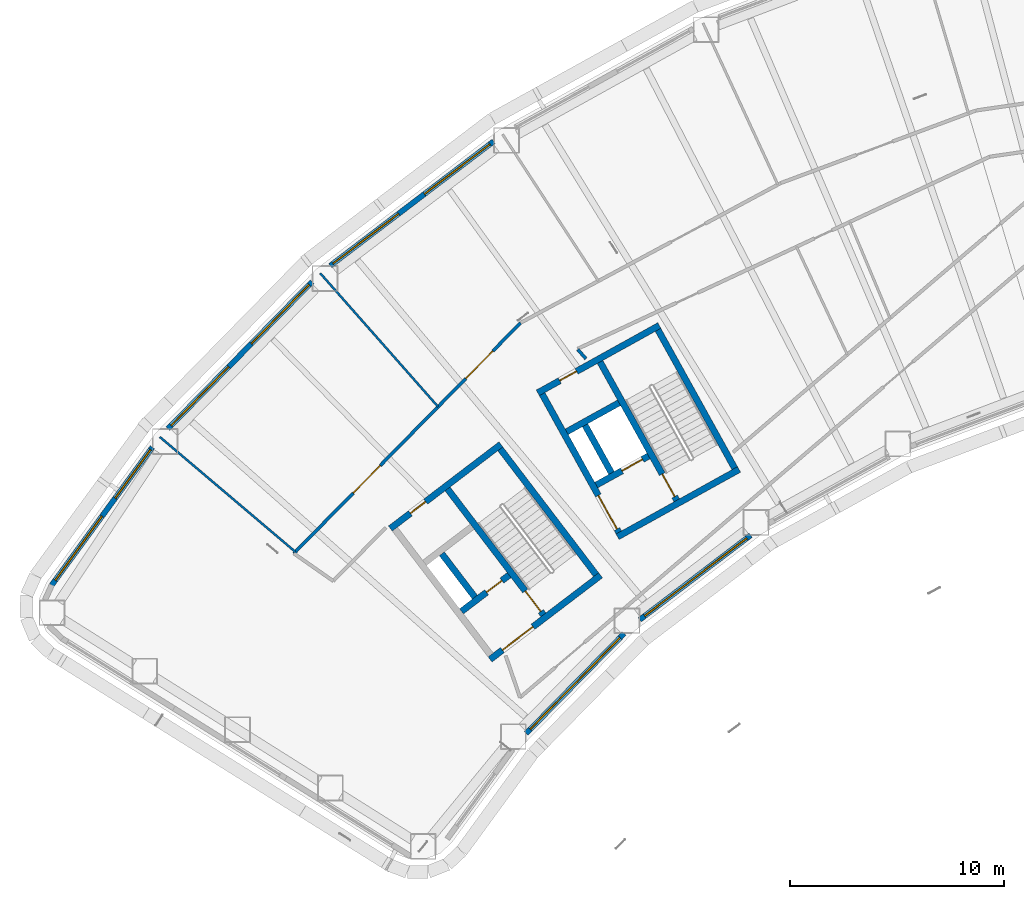
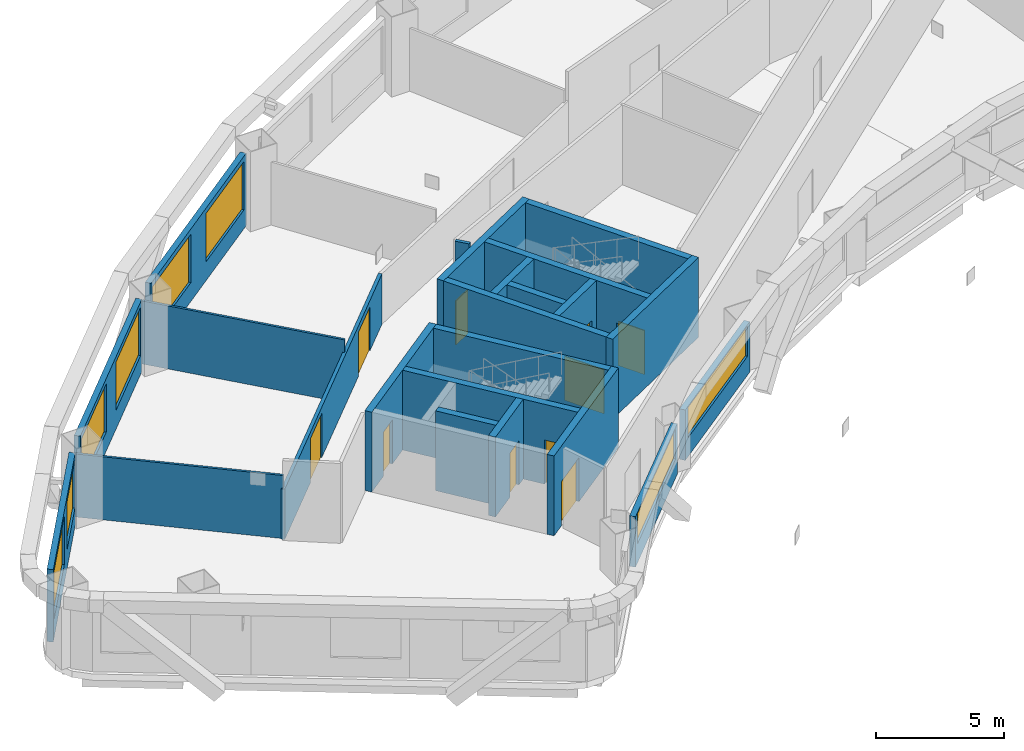
# One storey, part 3 of 19: 23 walls, 10 doors, 8 windows, 18 openings.
"""IFC4 building model written with IfcOpenShell, lengths in metres."""

from ifc_helpers import new_model, si_unit, direction, frame, frame_2d, origin, place, context, subcontext, project, spatial, rectangle, extrude, material, layer, layer_set, type_object, element, fill, save


model = new_model("IFC4")

# Units and contexts
model_context = context("Model", 3, precision=1e-05, world=origin(), true_north=direction((0.0, 1.0)))
body_context = subcontext(model_context, "Body", "Model", "MODEL_VIEW")
ifc_project = project(units=[si_unit("LENGTHUNIT", "METRE"), si_unit("AREAUNIT", "SQUARE_METRE"), si_unit("VOLUMEUNIT", "CUBIC_METRE"), si_unit("PLANEANGLEUNIT", "RADIAN"), si_unit("MASSUNIT", "GRAM", prefix="KILO")], contexts=[model_context])

# Site, building, storey
site_placement = place(None, origin())
site = spatial("IfcSite", under=ifc_project, at=site_placement, CompositionType="ELEMENT")
building_placement = place(site_placement, origin())
building = spatial("IfcBuilding", under=site, at=building_placement, Name="Tuul Gate Civic Tower", CompositionType="ELEMENT")
storey_placement = place(building_placement, frame((0.0, 0.0, 90.60009765625)))
storey = spatial("IfcBuildingStorey", under=building, at=storey_placement, Name="Level 20", CompositionType="ELEMENT", Elevation=90.60009765625)

# Wall, opening, door
ifc_material_1 = material(Name="Concrete C50/60", Category="concrete")
ifc_layer_1 = layer(ifc_material_1, 0.300048828125)
ifc_layer_set_1 = layer_set([ifc_layer_1], Name="Concrete C50/60")
wall_type_1 = type_object("IfcWallType", Name="Core wall C50/60", PredefinedType="SHEAR", material=ifc_layer_set_1)
wall_1_placement = place(storey_placement, frame((-31.19091796875, -13.669677734375, 0.0), z_axis=(0.0, 0.0, 1.0), x_axis=(-0.795606717756, -0.605813461934, 0.0)))
wall_1 = element("IfcWall", 1, at=wall_1_placement, inside=storey, type_object=wall_type_1, Name="Core wall", PredefinedType="SHEAR", context=body_context, shape_type="SweptSolid", body=[
    extrude(rectangle(XDim=6.5, YDim=0.300048828125, at=frame_2d((3.25, 0.0))), origin(), (0.0, 0.0, 1.0), 3.7998046875),
])
opening_1_placement = place(wall_1_placement, frame((3.97509765625, 0.0, 0.0)))
opening_1 = element("IfcOpeningElement", 2, at=opening_1_placement, cuts=wall_1, Name="Opening LB-W1-LOBBY-1", PredefinedType="OPENING", context=body_context, shape_type="SweptSolid", body=[
    extrude(rectangle(XDim=1.800048828125, YDim=2.10009765625, at=frame_2d((0.89990234375, 1.050048828125))), frame((0.0, 0.16015625, 0.0), z_axis=(0.0, -1.0, 0.0), x_axis=(1.0, 0.0, 0.0)), (0.0, 0.0, 1.0), 0.320068359375),
])
ifc_material_2 = material(Name="Steel", Category="steel")
door_type_1 = type_object("IfcDoorType", Name="Lobby door", OperationType="DOUBLE_DOOR_SINGLE_SWING", PredefinedType="DOOR", material=ifc_material_2)
door_1_placement = place(opening_1_placement, origin())
door_1 = element("IfcDoor", 3, at=door_1_placement, inside=storey, type_object=door_type_1, Name="Lobby door W1-LOBBY", OperationType="DOUBLE_DOOR_SINGLE_SWING", OverallHeight=2.10009765625, OverallWidth=1.800048828125, PredefinedType="DOOR", context=body_context, shape_type="SweptSolid", body=[
    extrude(rectangle(XDim=1.800048828125, YDim=2.10009765625, at=frame_2d((0.89990234375, 1.050048828125))), frame((0.0, 0.02490234375, 0.0), z_axis=(0.0, -1.0, 0.0), x_axis=(1.0, 0.0, 0.0)), (0.0, 0.0, 1.0), 0.050048828125),
])
fill(opening_1, door_1)

wall_2_placement = place(storey_placement, frame((-35.470947265625, -13.66064453125, 0.0), z_axis=(0.0, 0.0, 1.0), x_axis=(-0.795615822227, -0.605801504968, 0.0)))
wall_2 = element("IfcWall", 4, at=wall_2_placement, inside=storey, type_object=wall_type_1, Name="Core wall", PredefinedType="SHEAR", context=body_context, shape_type="SweptSolid", body=[
    extrude(rectangle(XDim=2.800048828125, YDim=0.300048828125, at=frame_2d((1.39990234375, 0.0))), origin(), (0.0, 0.0, 1.0), 3.7998046875),
])
opening_2_placement = place(wall_2_placement, frame((0.425048828125, 0.0, 0.0)))
opening_2 = element("IfcOpeningElement", 5, at=opening_2_placement, cuts=wall_2, Name="Opening FB-W1A1", PredefinedType="OPENING", context=body_context, shape_type="SweptSolid", body=[
    extrude(rectangle(XDim=0.89990234375, YDim=2.10009765625, at=frame_2d((0.449951171875, 1.050048828125))), frame((0.0, 0.16015625, 0.0), z_axis=(0.0, -1.0, 0.0), x_axis=(1.0, 0.0, 0.0)), (0.0, 0.0, 1.0), 0.320068359375),
])
ifc_material_3 = material(Name="Steel", Category="steel")
door_type_2 = type_object("IfcDoorType", Name="Store door", OperationType="NOTDEFINED", PredefinedType="DOOR", material=ifc_material_3)
door_2_placement = place(opening_2_placement, frame((0.89990234375, 0.0, 0.0), z_axis=(0.0, 0.0, 1.0), x_axis=(-1.0, 0.0, 0.0)))
door_2 = element("IfcDoor", 6, at=door_2_placement, inside=storey, type_object=door_type_2, Name="Store door W1A1", OperationType="SINGLE_SWING_RIGHT", OverallHeight=2.10009765625, OverallWidth=0.89990234375, PredefinedType="DOOR", context=body_context, shape_type="SweptSolid", body=[
    extrude(rectangle(XDim=0.89990234375, YDim=2.10009765625, at=frame_2d((0.449951171875, 1.050048828125))), frame((0.0, 0.02490234375, 0.0), z_axis=(0.0, -1.0, 0.0), x_axis=(1.0, 0.0, 0.0)), (0.0, 0.0, 1.0), 0.050048828125),
])
fill(opening_2, door_2)

wall_3_placement = place(storey_placement, frame((-35.855224609375, -7.543212890625, 0.0), z_axis=(0.0, 0.0, 1.0), x_axis=(-0.79563860527, -0.605771582202, 0.0)))
wall_3 = element("IfcWall", 7, at=wall_3_placement, inside=storey, type_object=wall_type_1, Name="Core wall", PredefinedType="SHEAR", context=body_context, shape_type="SweptSolid", body=[
    extrude(rectangle(XDim=6.5, YDim=0.300048828125, at=frame_2d((3.25, 0.0))), origin(), (0.0, 0.0, 1.0), 3.7998046875),
])
opening_3_placement = place(wall_3_placement, frame((4.425048828125, 0.0, 0.0)))
opening_3 = element("IfcOpeningElement", 8, at=opening_3_placement, cuts=wall_3, Name="Opening F-D25", PredefinedType="OPENING", context=body_context, shape_type="SweptSolid", body=[
    extrude(rectangle(XDim=0.89990234375, YDim=2.10009765625, at=frame_2d((0.449951171875, 1.050048828125))), frame((0.0, 0.16015625, 0.0), z_axis=(0.0, -1.0, 0.0), x_axis=(1.0, 0.0, 0.0)), (0.0, 0.0, 1.0), 0.320068359375),
])
ifc_material_4 = material(Name="Timber door leaf", Category="wood")
door_type_3 = type_object("IfcDoorType", Name="Door D09", OperationType="NOTDEFINED", PredefinedType="DOOR", material=ifc_material_4)
door_3_placement = place(opening_3_placement, origin())
door_3 = element("IfcDoor", 9, at=door_3_placement, inside=storey, type_object=door_type_3, Name="Door F-D25", OperationType="SINGLE_SWING_LEFT", OverallHeight=2.10009765625, OverallWidth=0.89990234375, PredefinedType="DOOR", context=body_context, shape_type="SweptSolid", body=[
    extrude(rectangle(XDim=0.89990234375, YDim=2.10009765625, at=frame_2d((0.449951171875, 1.050048828125))), frame((0.0, 0.02490234375, 0.0), z_axis=(0.0, -1.0, 0.0), x_axis=(1.0, 0.0, 0.0)), (0.0, 0.0, 1.0), 0.050048828125),
])
fill(opening_3, door_3)

# Wall
wall_4_placement = place(storey_placement, frame((-31.401123046875, -13.64111328125, 0.0), z_axis=(0.0, 0.0, 1.0), x_axis=(-0.605769822278, 0.795639945213, 0.0)))
element("IfcWall", 10, at=wall_4_placement, inside=storey, type_object=wall_type_1, Name="Core wall", PredefinedType="SHEAR", context=body_context, shape_type="SweptSolid", body=[
    extrude(rectangle(XDim=7.39990234375, YDim=0.300048828125, at=frame_2d((3.699951171875, 0.0))), origin(), (0.0, 0.0, 1.0), 3.7998046875),
])

# Wall, opening, door
wall_5_placement = place(storey_placement, frame((-33.867431640625, -15.51904296875, 0.0), z_axis=(0.0, 0.0, 1.0), x_axis=(-0.605769822278, 0.795639945213, 0.0)))
wall_5 = element("IfcWall", 11, at=wall_5_placement, inside=storey, type_object=wall_type_1, Name="Core wall", PredefinedType="SHEAR", context=body_context, shape_type="SweptSolid", body=[
    extrude(rectangle(XDim=7.39990234375, YDim=0.300048828125, at=frame_2d((3.699951171875, 0.0))), origin(), (0.0, 0.0, 1.0), 3.7998046875),
])
opening_4_placement = place(wall_5_placement, frame((0.199951171875, 0.0, 0.0)))
opening_4 = element("IfcOpeningElement", 12, at=opening_4_placement, cuts=wall_5, Name="Opening SD-ST-1", PredefinedType="OPENING", context=body_context, shape_type="SweptSolid", body=[
    extrude(rectangle(XDim=1.199951171875, YDim=2.10009765625, at=frame_2d((0.60009765625, 1.050048828125))), frame((0.0, 0.16015625, 0.0), z_axis=(0.0, -1.0, 0.0), x_axis=(1.0, 0.0, 0.0)), (0.0, 0.0, 1.0), 0.320068359375),
])
ifc_material_5 = material(Name="Steel", Category="steel")
door_type_4 = type_object("IfcDoorType", Name="Stair door", OperationType="NOTDEFINED", PredefinedType="DOOR", material=ifc_material_5)
door_4_placement = place(opening_4_placement, origin())
door_4 = element("IfcDoor", 13, at=door_4_placement, inside=storey, type_object=door_type_4, Name="Stair door ST-1", OperationType="SINGLE_SWING_LEFT", OverallHeight=2.10009765625, OverallWidth=1.199951171875, PredefinedType="DOOR", context=body_context, shape_type="SweptSolid", body=[
    extrude(rectangle(XDim=1.199951171875, YDim=2.10009765625, at=frame_2d((0.60009765625, 1.050048828125))), frame((0.0, 0.02490234375, 0.0), z_axis=(0.0, -1.0, 0.0), x_axis=(1.0, 0.0, 0.0)), (0.0, 0.0, 1.0), 0.050048828125),
])
fill(opening_4, door_4)

# Walls
wall_6_placement = place(storey_placement, frame((-37.073486328125, -14.6923828125, 0.0), z_axis=(0.0, 0.0, 1.0), x_axis=(-0.605728760074, 0.79567120673, 0.0)))
element("IfcWall", 14, at=wall_6_placement, inside=storey, type_object=wall_type_1, Name="Core wall", PredefinedType="SHEAR", context=body_context, shape_type="SweptSolid", body=[
    extrude(rectangle(XDim=2.550048828125, YDim=0.300048828125, at=frame_2d((1.27490234375, 0.0))), origin(), (0.0, 0.0, 1.0), 3.7998046875),
])
wall_7_placement = place(storey_placement, frame((-24.711669921875, -8.7158203125, 0.0), z_axis=(0.0, 0.0, 1.0), x_axis=(-0.874629909008, -0.484791215132, 0.0)))
element("IfcWall", 15, at=wall_7_placement, inside=storey, type_object=wall_type_1, Name="Core wall", PredefinedType="SHEAR", context=body_context, shape_type="SweptSolid", body=[
    extrude(rectangle(XDim=6.5, YDim=0.300048828125, at=frame_2d((3.25, 0.0))), origin(), (0.0, 0.0, 1.0), 3.7998046875),
])

# Wall, opening, door
wall_8_placement = place(storey_placement, frame((-28.94580078125, -8.090087890625, 0.0), z_axis=(0.0, 0.0, 1.0), x_axis=(-0.874629840737, -0.484791338301, 0.0)))
wall_8 = element("IfcWall", 16, at=wall_8_placement, inside=storey, type_object=wall_type_1, Name="Core wall", PredefinedType="SHEAR", context=body_context, shape_type="SweptSolid", body=[
    extrude(rectangle(XDim=2.800048828125, YDim=0.300048828125, at=frame_2d((1.39990234375, 0.0))), origin(), (0.0, 0.0, 1.0), 3.7998046875),
])
opening_5_placement = place(wall_8_placement, frame((0.324951171875, 0.0, 0.0)))
opening_5 = element("IfcOpeningElement", 17, at=opening_5_placement, cuts=wall_8, Name="Opening LD-FF-1", PredefinedType="OPENING", context=body_context, shape_type="SweptSolid", body=[
    extrude(rectangle(XDim=1.10009765625, YDim=2.10009765625, at=frame_2d((0.550048828125, 1.050048828125))), frame((0.0, 0.16015625, 0.0), z_axis=(0.0, -1.0, 0.0), x_axis=(1.0, 0.0, 0.0)), (0.0, 0.0, 1.0), 0.320068359375),
])
ifc_material_6 = material(Name="Stainless steel", Category="steel")
door_type_5 = type_object("IfcDoorType", Name="Landing door", OperationType="DOUBLE_DOOR_SLIDING", PredefinedType="DOOR", material=ifc_material_6)
door_5_placement = place(opening_5_placement, origin())
door_5 = element("IfcDoor", 18, at=door_5_placement, inside=storey, type_object=door_type_5, Name="Fire-fighting lift FF-1 landing door", OperationType="DOUBLE_DOOR_SLIDING", OverallHeight=2.10009765625, OverallWidth=1.10009765625, PredefinedType="DOOR", context=body_context, shape_type="SweptSolid", body=[
    extrude(rectangle(XDim=1.10009765625, YDim=2.10009765625, at=frame_2d((0.550048828125, 1.050048828125))), frame((0.0, 0.02490234375, 0.0), z_axis=(0.0, -1.0, 0.0), x_axis=(1.0, 0.0, 0.0)), (0.0, 0.0, 1.0), 0.050048828125),
])
fill(opening_5, door_5)

# Wall
wall_9_placement = place(storey_placement, frame((-30.327392578125, -5.59716796875, 0.0), z_axis=(0.0, 0.0, 1.0), x_axis=(-0.874629840737, -0.484791338301, 0.0)))
element("IfcWall", 19, at=wall_9_placement, inside=storey, type_object=wall_type_1, Name="Core wall", PredefinedType="SHEAR", context=body_context, shape_type="SweptSolid", body=[
    extrude(rectangle(XDim=2.800048828125, YDim=0.300048828125, at=frame_2d((1.39990234375, 0.0))), origin(), (0.0, 0.0, 1.0), 3.7998046875),
])

# Wall, opening, door
wall_10_placement = place(storey_placement, frame((-28.4443359375, -1.98095703125, 0.0), z_axis=(0.0, 0.0, 1.0), x_axis=(-0.874629909008, -0.484791215132, 0.0)))
wall_10 = element("IfcWall", 20, at=wall_10_placement, inside=storey, type_object=wall_type_1, Name="Core wall", PredefinedType="SHEAR", context=body_context, shape_type="SweptSolid", body=[
    extrude(rectangle(XDim=6.5, YDim=0.300048828125, at=frame_2d((3.25, 0.0))), origin(), (0.0, 0.0, 1.0), 3.7998046875),
])
opening_6_placement = place(wall_10_placement, frame((4.425048828125, 0.0, 0.0)))
opening_6 = element("IfcOpeningElement", 21, at=opening_6_placement, cuts=wall_10, Name="Opening F-D26", PredefinedType="OPENING", context=body_context, shape_type="SweptSolid", body=[
    extrude(rectangle(XDim=0.89990234375, YDim=2.10009765625, at=frame_2d((0.449951171875, 1.050048828125))), frame((0.0, 0.16015625, 0.0), z_axis=(0.0, -1.0, 0.0), x_axis=(1.0, 0.0, 0.0)), (0.0, 0.0, 1.0), 0.320068359375),
])
door_6_placement = place(opening_6_placement, origin())
door_6 = element("IfcDoor", 22, at=door_6_placement, inside=storey, type_object=door_type_3, Name="Door F-D26", OperationType="SINGLE_SWING_LEFT", OverallHeight=2.10009765625, OverallWidth=0.89990234375, PredefinedType="DOOR", context=body_context, shape_type="SweptSolid", body=[
    extrude(rectangle(XDim=0.89990234375, YDim=2.10009765625, at=frame_2d((0.449951171875, 1.050048828125))), frame((0.0, 0.02490234375, 0.0), z_axis=(0.0, -1.0, 0.0), x_axis=(1.0, 0.0, 0.0)), (0.0, 0.0, 1.0), 0.050048828125),
])
fill(opening_6, door_6)

# Wall
wall_11_placement = place(storey_placement, frame((-24.91552734375, -8.6572265625, 0.0), z_axis=(0.0, 0.0, 1.0), x_axis=(-0.484777133038, 0.874637714304, 0.0)))
element("IfcWall", 23, at=wall_11_placement, inside=storey, type_object=wall_type_1, Name="Core wall", PredefinedType="SHEAR", context=body_context, shape_type="SweptSolid", body=[
    extrude(rectangle(XDim=7.400146484375, YDim=0.300048828125, at=frame_2d((3.7001953125, 0.0))), origin(), (0.0, 0.0, 1.0), 3.7998046875),
])

# Wall, opening, door
wall_12_placement = place(storey_placement, frame((-27.626953125, -10.16015625, 0.0), z_axis=(0.0, 0.0, 1.0), x_axis=(-0.484751894226, 0.874651702704, 0.0)))
wall_12 = element("IfcWall", 24, at=wall_12_placement, inside=storey, type_object=wall_type_1, Name="Core wall", PredefinedType="SHEAR", context=body_context, shape_type="SweptSolid", body=[
    extrude(rectangle(XDim=7.39990234375, YDim=0.300048828125, at=frame_2d((3.699951171875, 0.0))), origin(), (0.0, 0.0, 1.0), 3.7998046875),
])
opening_7_placement = place(wall_12_placement, frame((0.199951171875, 0.0, 0.0)))
opening_7 = element("IfcOpeningElement", 25, at=opening_7_placement, cuts=wall_12, Name="Opening SD-ST-2", PredefinedType="OPENING", context=body_context, shape_type="SweptSolid", body=[
    extrude(rectangle(XDim=1.199951171875, YDim=2.10009765625, at=frame_2d((0.60009765625, 1.050048828125))), frame((0.0, 0.16015625, 0.0), z_axis=(0.0, -1.0, 0.0), x_axis=(1.0, 0.0, 0.0)), (0.0, 0.0, 1.0), 0.320068359375),
])
door_7_placement = place(opening_7_placement, origin())
door_7 = element("IfcDoor", 26, at=door_7_placement, inside=storey, type_object=door_type_4, Name="Stair door ST-2", OperationType="SINGLE_SWING_LEFT", OverallHeight=2.10009765625, OverallWidth=1.199951171875, PredefinedType="DOOR", context=body_context, shape_type="SweptSolid", body=[
    extrude(rectangle(XDim=1.199951171875, YDim=2.10009765625, at=frame_2d((0.60009765625, 1.050048828125))), frame((0.0, 0.02490234375, 0.0), z_axis=(0.0, -1.0, 0.0), x_axis=(1.0, 0.0, 0.0)), (0.0, 0.0, 1.0), 0.050048828125),
])
fill(opening_7, door_7)

# Wall
wall_13_placement = place(storey_placement, frame((-30.680419921875, -8.8798828125, 0.0), z_axis=(0.0, 0.0, 1.0), x_axis=(-0.484724115216, 0.874667097888, 0.0)))
element("IfcWall", 27, at=wall_13_placement, inside=storey, type_object=wall_type_1, Name="Core wall", PredefinedType="SHEAR", context=body_context, shape_type="SweptSolid", body=[
    extrude(rectangle(XDim=2.550048828125, YDim=0.300048828125, at=frame_2d((1.27490234375, 0.0))), origin(), (0.0, 0.0, 1.0), 3.7998046875),
])

# Wall, opening, door
wall_14_placement = place(storey_placement, frame((-30.33837890625, -11.6630859375, 0.0), z_axis=(0.0, 0.0, 1.0), x_axis=(-0.484751894226, 0.874651702704, 0.0)))
wall_14 = element("IfcWall", 28, at=wall_14_placement, inside=storey, type_object=wall_type_1, Name="Core wall", PredefinedType="SHEAR", context=body_context, shape_type="SweptSolid", body=[
    extrude(rectangle(XDim=7.39990234375, YDim=0.300048828125, at=frame_2d((3.699951171875, 0.0))), origin(), (0.0, 0.0, 1.0), 3.7998046875),
])
opening_8_placement = place(wall_14_placement, frame((0.175048828125, 0.0, 0.0)))
opening_8 = element("IfcOpeningElement", 29, at=opening_8_placement, cuts=wall_14, Name="Opening LB-W2-FLOBBY-1", PredefinedType="OPENING", context=body_context, shape_type="SweptSolid", body=[
    extrude(rectangle(XDim=1.800048828125, YDim=2.10009765625, at=frame_2d((0.89990234375, 1.050048828125))), frame((0.0, 0.16015625, 0.0), z_axis=(0.0, -1.0, 0.0), x_axis=(1.0, 0.0, 0.0)), (0.0, 0.0, 1.0), 0.320068359375),
])
door_8_placement = place(opening_8_placement, origin())
door_8 = element("IfcDoor", 30, at=door_8_placement, inside=storey, type_object=door_type_1, Name="Lobby door W2-FLOBBY", OperationType="DOUBLE_DOOR_SINGLE_SWING", OverallHeight=2.10009765625, OverallWidth=1.800048828125, PredefinedType="DOOR", context=body_context, shape_type="SweptSolid", body=[
    extrude(rectangle(XDim=1.800048828125, YDim=2.10009765625, at=frame_2d((0.89990234375, 1.050048828125))), frame((0.0, 0.02490234375, 0.0), z_axis=(0.0, -1.0, 0.0), x_axis=(1.0, 0.0, 0.0)), (0.0, 0.0, 1.0), 0.050048828125),
])
fill(opening_8, door_8)

# Wall
ifc_material_7 = material(Name="Gypsum board partition")
ifc_layer_2 = layer(ifc_material_7, 0.14990234375)
ifc_layer_set_2 = layer_set([ifc_layer_2], Name="Gypsum board partition")
wall_type_2 = type_object("IfcWallType", Name="Corridor wall P150", PredefinedType="PARTITIONING", material=ifc_layer_set_2)
wall_15_placement = place(storey_placement, frame((-32.260986328125, -3.09912109375, 0.0), z_axis=(0.0, 0.0, 1.0), x_axis=(0.658209440718, -0.752834863798, 0.0)))
element("IfcWall", 31, at=wall_15_placement, inside=storey, type_object=wall_type_2, Name="p063", PredefinedType="PARTITIONING", context=body_context, shape_type="SweptSolid", body=[
    extrude(rectangle(XDim=0.585693359375, YDim=0.14990234375, at=frame_2d((0.29296875, 0.0))), origin(), (0.0, 0.0, 1.0), 3.7998046875),
])

# Wall, openings, doors
ifc_material_8 = material(Name="Gypsum board partition")
ifc_layer_3 = layer(ifc_material_8, 0.14990234375)
ifc_layer_set_3 = layer_set([ifc_layer_3], Name="Gypsum board partition")
wall_type_3 = type_object("IfcWallType", Name="Corridor wall P150 2400 HIGH", PredefinedType="PARTITIONING", material=ifc_layer_set_3)
wall_16_placement = place(storey_placement, frame((-45.54443359375, -12.64697265625, 0.0), z_axis=(0.0, 0.0, 1.0), x_axis=(0.701088693239, 0.713074080452, 0.0)))
wall_16 = element("IfcWall", 32, at=wall_16_placement, inside=storey, type_object=wall_type_3, Name="p033", PredefinedType="PARTITIONING", context=body_context, shape_type="SweptSolid", body=[
    extrude(rectangle(XDim=15.134765625, YDim=0.14990234375, at=frame_2d((7.5673828125, 0.0))), origin(), (0.0, 0.0, 1.0), 2.39990234375),
])
opening_9_placement = place(wall_16_placement, frame((11.48046875, 0.0, 0.0)))
opening_9 = element("IfcOpeningElement", 33, at=opening_9_placement, cuts=wall_16, Name="Opening F-D10", PredefinedType="OPENING", context=body_context, shape_type="SweptSolid", body=[
    extrude(rectangle(XDim=1.800048828125, YDim=2.10009765625, at=frame_2d((0.89990234375, 1.050048828125))), frame((0.0, 0.0849609375, 0.0), z_axis=(0.0, -1.0, 0.0), x_axis=(1.0, 0.0, 0.0)), (0.0, 0.0, 1.0), 0.169921875),
])
opening_10_placement = place(wall_16_placement, frame((3.965087890625, 0.0, 0.0)))
opening_10 = element("IfcOpeningElement", 34, at=opening_10_placement, cuts=wall_16, Name="Opening F-D11", PredefinedType="OPENING", context=body_context, shape_type="SweptSolid", body=[
    extrude(rectangle(XDim=1.800048828125, YDim=2.10009765625, at=frame_2d((0.89990234375, 1.050048828125))), frame((0.0, 0.0849609375, 0.0), z_axis=(0.0, -1.0, 0.0), x_axis=(1.0, 0.0, 0.0)), (0.0, 0.0, 1.0), 0.169921875),
])
ifc_material_9 = material(Name="Timber door leaf, double", Category="wood")
door_type_6 = type_object("IfcDoorType", Name="Door D18", OperationType="DOUBLE_DOOR_SINGLE_SWING", PredefinedType="DOOR", material=ifc_material_9)
door_9_placement = place(opening_9_placement, origin())
door_9 = element("IfcDoor", 35, at=door_9_placement, inside=storey, type_object=door_type_6, Name="Door F-D10", OperationType="DOUBLE_DOOR_SINGLE_SWING", OverallHeight=2.10009765625, OverallWidth=1.800048828125, PredefinedType="DOOR", context=body_context, shape_type="SweptSolid", body=[
    extrude(rectangle(XDim=1.800048828125, YDim=2.10009765625, at=frame_2d((0.89990234375, 1.050048828125))), frame((0.0, 0.02490234375, 0.0), z_axis=(0.0, -1.0, 0.0), x_axis=(1.0, 0.0, 0.0)), (0.0, 0.0, 1.0), 0.050048828125),
])
fill(opening_9, door_9)
door_10_placement = place(opening_10_placement, origin())
door_10 = element("IfcDoor", 36, at=door_10_placement, inside=storey, type_object=door_type_6, Name="Door F-D11", OperationType="DOUBLE_DOOR_SINGLE_SWING", OverallHeight=2.10009765625, OverallWidth=1.800048828125, PredefinedType="DOOR", context=body_context, shape_type="SweptSolid", body=[
    extrude(rectangle(XDim=1.800048828125, YDim=2.10009765625, at=frame_2d((0.89990234375, 1.050048828125))), frame((0.0, 0.02490234375, 0.0), z_axis=(0.0, -1.0, 0.0), x_axis=(1.0, 0.0, 0.0)), (0.0, 0.0, 1.0), 0.050048828125),
])
fill(opening_10, door_10)

# Wall, openings, windows
ifc_material_10 = material(Name="Precast concrete C40/50", Category="concrete")
ifc_layer_4 = layer(ifc_material_10, 0.25)
ifc_layer_set_4 = layer_set([ifc_layer_4], Name="Precast concrete C40/50")
wall_type_4 = type_object("IfcWallType", Name="External wall", PredefinedType="STANDARD", material=ifc_layer_set_4)
wall_17_placement = place(storey_placement, frame((-36.194091796875, 6.635986328125, 0.0), z_axis=(0.0, 0.0, 1.0), x_axis=(-0.795611941646, -0.605806601409, 0.0)))
wall_17 = element("IfcWall", 37, at=wall_17_placement, inside=storey, type_object=wall_type_4, Name="External wall", PredefinedType="STANDARD", context=body_context, shape_type="SweptSolid", body=[
    extrude(rectangle(XDim=9.607177734375, YDim=0.25, at=frame_2d((4.8037109375, 0.0))), origin(), (0.0, 0.0, 1.0), 3.449951171875),
])
opening_11_placement = place(wall_17_placement, frame((0.221923828125, 0.0, 0.89990234375)))
opening_11 = element("IfcOpeningElement", 38, at=opening_11_placement, cuts=wall_17, Name="Opening W22", PredefinedType="OPENING", context=body_context, shape_type="SweptSolid", body=[
    extrude(rectangle(XDim=3.85009765625, YDim=2.300048828125, at=frame_2d((1.925048828125, 1.14990234375))), frame((0.0, 0.135009765625, 0.0), z_axis=(0.0, -1.0, 0.0), x_axis=(1.0, 0.0, 0.0)), (0.0, 0.0, 1.0), 0.27001953125),
])
opening_12_placement = place(wall_17_placement, frame((5.59326171875, 0.0, 0.89990234375)))
opening_12 = element("IfcOpeningElement", 39, at=opening_12_placement, cuts=wall_17, Name="Opening W22", PredefinedType="OPENING", context=body_context, shape_type="SweptSolid", body=[
    extrude(rectangle(XDim=3.85009765625, YDim=2.300048828125, at=frame_2d((1.925048828125, 1.14990234375))), frame((0.0, 0.135009765625, 0.0), z_axis=(0.0, -1.0, 0.0), x_axis=(1.0, 0.0, 0.0)), (0.0, 0.0, 1.0), 0.27001953125),
])
ifc_material_11 = material(Name="Glass", Category="glass")
window_type_1 = type_object("IfcWindowType", Name="Window W22 3850 x 2300", PartitioningType="SINGLE_PANEL", PredefinedType="WINDOW", material=ifc_material_11)
window_1_placement = place(opening_11_placement, origin())
window_1 = element("IfcWindow", 40, at=window_1_placement, inside=storey, type_object=window_type_1, Name="Window", OverallHeight=2.300048828125, OverallWidth=3.85009765625, PartitioningType="SINGLE_PANEL", PredefinedType="WINDOW", context=body_context, shape_type="SweptSolid", body=[
    extrude(rectangle(XDim=3.85009765625, YDim=2.300048828125, at=frame_2d((1.925048828125, 1.14990234375))), frame((0.0, 0.030029296875, 0.0), z_axis=(0.0, -1.0, 0.0), x_axis=(1.0, 0.0, 0.0)), (0.0, 0.0, 1.0), 0.06005859375),
])
fill(opening_11, window_1)
window_2_placement = place(opening_12_placement, origin())
window_2 = element("IfcWindow", 41, at=window_2_placement, inside=storey, type_object=window_type_1, Name="Window", OverallHeight=2.300048828125, OverallWidth=3.85009765625, PartitioningType="SINGLE_PANEL", PredefinedType="WINDOW", context=body_context, shape_type="SweptSolid", body=[
    extrude(rectangle(XDim=3.85009765625, YDim=2.300048828125, at=frame_2d((1.925048828125, 1.14990234375))), frame((0.0, 0.030029296875, 0.0), z_axis=(0.0, -1.0, 0.0), x_axis=(1.0, 0.0, 0.0)), (0.0, 0.0, 1.0), 0.06005859375),
])
fill(opening_12, window_2)

wall_18_placement = place(storey_placement, frame((-44.68896484375, 0.068359375, 0.0), z_axis=(0.0, 0.0, 1.0), x_axis=(-0.700037194481, -0.714106383072, 0.0)))
wall_18 = element("IfcWall", 42, at=wall_18_placement, inside=storey, type_object=wall_type_4, Name="External wall", PredefinedType="STANDARD", context=body_context, shape_type="SweptSolid", body=[
    extrude(rectangle(XDim=9.630859375, YDim=0.25, at=frame_2d((4.8154296875, 0.0))), origin(), (0.0, 0.0, 1.0), 3.449951171875),
])
opening_13_placement = place(wall_18_placement, frame((0.203125, 0.0, 0.89990234375)))
opening_13 = element("IfcOpeningElement", 43, at=opening_13_placement, cuts=wall_18, Name="Opening W22", PredefinedType="OPENING", context=body_context, shape_type="SweptSolid", body=[
    extrude(rectangle(XDim=3.85009765625, YDim=2.300048828125, at=frame_2d((1.925048828125, 1.14990234375))), frame((0.0, 0.135009765625, 0.0), z_axis=(0.0, -1.0, 0.0), x_axis=(1.0, 0.0, 0.0)), (0.0, 0.0, 1.0), 0.27001953125),
])
opening_14_placement = place(wall_18_placement, frame((5.57421875, 0.0, 0.89990234375)))
opening_14 = element("IfcOpeningElement", 44, at=opening_14_placement, cuts=wall_18, Name="Opening W22", PredefinedType="OPENING", context=body_context, shape_type="SweptSolid", body=[
    extrude(rectangle(XDim=3.85009765625, YDim=2.300048828125, at=frame_2d((1.925048828125, 1.14990234375))), frame((0.0, 0.135009765625, 0.0), z_axis=(0.0, -1.0, 0.0), x_axis=(1.0, 0.0, 0.0)), (0.0, 0.0, 1.0), 0.27001953125),
])
window_3_placement = place(opening_13_placement, origin())
window_3 = element("IfcWindow", 45, at=window_3_placement, inside=storey, type_object=window_type_1, Name="Window", OverallHeight=2.300048828125, OverallWidth=3.85009765625, PartitioningType="SINGLE_PANEL", PredefinedType="WINDOW", context=body_context, shape_type="SweptSolid", body=[
    extrude(rectangle(XDim=3.85009765625, YDim=2.300048828125, at=frame_2d((1.925048828125, 1.14990234375))), frame((0.0, 0.030029296875, 0.0), z_axis=(0.0, -1.0, 0.0), x_axis=(1.0, 0.0, 0.0)), (0.0, 0.0, 1.0), 0.06005859375),
])
fill(opening_13, window_3)
window_4_placement = place(opening_14_placement, origin())
window_4 = element("IfcWindow", 46, at=window_4_placement, inside=storey, type_object=window_type_1, Name="Window", OverallHeight=2.300048828125, OverallWidth=3.85009765625, PartitioningType="SINGLE_PANEL", PredefinedType="WINDOW", context=body_context, shape_type="SweptSolid", body=[
    extrude(rectangle(XDim=3.85009765625, YDim=2.300048828125, at=frame_2d((1.925048828125, 1.14990234375))), frame((0.0, 0.030029296875, 0.0), z_axis=(0.0, -1.0, 0.0), x_axis=(1.0, 0.0, 0.0)), (0.0, 0.0, 1.0), 0.06005859375),
])
fill(opening_14, window_4)

wall_19_placement = place(storey_placement, frame((-52.1640625, -7.679443359375, 0.0), z_axis=(0.0, 0.0, 1.0), x_axis=(-0.589758648629, -0.807579554204, 0.0)))
wall_19 = element("IfcWall", 47, at=wall_19_placement, inside=storey, type_object=wall_type_4, Name="External wall", PredefinedType="STANDARD", context=body_context, shape_type="SweptSolid", body=[
    extrude(rectangle(XDim=7.998291015625, YDim=0.25, at=frame_2d((3.9990234375, 0.0))), origin(), (0.0, 0.0, 1.0), 3.449951171875),
])
opening_15_placement = place(wall_19_placement, frame((0.145751953125, 0.0, 0.89990234375)))
opening_15 = element("IfcOpeningElement", 48, at=opening_15_placement, cuts=wall_19, Name="Opening W23", PredefinedType="OPENING", context=body_context, shape_type="SweptSolid", body=[
    extrude(rectangle(XDim=2.800048828125, YDim=2.300048828125, at=frame_2d((1.39990234375, 1.14990234375))), frame((0.0, 0.135009765625, 0.0), z_axis=(0.0, -1.0, 0.0), x_axis=(1.0, 0.0, 0.0)), (0.0, 0.0, 1.0), 0.27001953125),
])
opening_16_placement = place(wall_19_placement, frame((3.997314453125, 0.0, 0.89990234375)))
opening_16 = element("IfcOpeningElement", 49, at=opening_16_placement, cuts=wall_19, Name="Opening W21", PredefinedType="OPENING", context=body_context, shape_type="SweptSolid", body=[
    extrude(rectangle(XDim=3.699951171875, YDim=2.300048828125, at=frame_2d((1.85009765625, 1.14990234375))), frame((0.0, 0.135009765625, 0.0), z_axis=(0.0, -1.0, 0.0), x_axis=(1.0, 0.0, 0.0)), (0.0, 0.0, 1.0), 0.27001953125),
])
ifc_material_12 = material(Name="Glass", Category="glass")
window_type_2 = type_object("IfcWindowType", Name="Window W21 3700 x 2300", PartitioningType="SINGLE_PANEL", PredefinedType="WINDOW", material=ifc_material_12)
window_5_placement = place(opening_16_placement, origin())
window_5 = element("IfcWindow", 50, at=window_5_placement, inside=storey, type_object=window_type_2, Name="Window", OverallHeight=2.300048828125, OverallWidth=3.699951171875, PartitioningType="SINGLE_PANEL", PredefinedType="WINDOW", context=body_context, shape_type="SweptSolid", body=[
    extrude(rectangle(XDim=3.699951171875, YDim=2.300048828125, at=frame_2d((1.85009765625, 1.14990234375))), frame((0.0, 0.030029296875, 0.0), z_axis=(0.0, -1.0, 0.0), x_axis=(1.0, 0.0, 0.0)), (0.0, 0.0, 1.0), 0.06005859375),
])
fill(opening_16, window_5)
ifc_material_13 = material(Name="Glass", Category="glass")
window_type_3 = type_object("IfcWindowType", Name="Window W23 2800 x 2300", PartitioningType="SINGLE_PANEL", PredefinedType="WINDOW", material=ifc_material_13)
window_6_placement = place(opening_15_placement, origin())
window_6 = element("IfcWindow", 51, at=window_6_placement, inside=storey, type_object=window_type_3, Name="Window", OverallHeight=2.300048828125, OverallWidth=2.800048828125, PartitioningType="SINGLE_PANEL", PredefinedType="WINDOW", context=body_context, shape_type="SweptSolid", body=[
    extrude(rectangle(XDim=2.800048828125, YDim=2.300048828125, at=frame_2d((1.39990234375, 1.14990234375))), frame((0.0, 0.030029296875, 0.0), z_axis=(0.0, -1.0, 0.0), x_axis=(1.0, 0.0, 0.0)), (0.0, 0.0, 1.0), 0.06005859375),
])
fill(opening_15, window_6)

# Wall, opening, window
ifc_material_14 = material(Name="Precast concrete C40/50", Category="concrete")
ifc_layer_5 = layer(ifc_material_14, 0.25)
ifc_layer_set_5 = layer_set([ifc_layer_5], Name="Precast concrete C40/50")
wall_type_5 = type_object("IfcWallType", Name="External wall 2400 HIGH", PredefinedType="STANDARD", material=ifc_layer_set_5)
wall_20_placement = place(storey_placement, frame((-34.673095703125, -21.0693359375, 0.0), z_axis=(0.0, 0.0, 1.0), x_axis=(0.700096771337, 0.714047975114, 0.0)))
wall_20 = element("IfcWall", 52, at=wall_20_placement, inside=storey, type_object=wall_type_5, Name="External wall", PredefinedType="STANDARD", context=body_context, shape_type="SweptSolid", body=[
    extrude(rectangle(XDim=6.544921875, YDim=0.25, at=frame_2d((3.2724609375, 0.0))), origin(), (0.0, 0.0, 1.0), 2.39990234375),
])
opening_17_placement = place(wall_20_placement, frame((0.27001953125, 0.0, 0.89990234375)))
opening_17 = element("IfcOpeningElement", 53, at=opening_17_placement, cuts=wall_20, Name="Opening W107", PredefinedType="OPENING", context=body_context, shape_type="SweptSolid", body=[
    extrude(rectangle(XDim=6.0, YDim=1.449951171875, at=frame_2d((3.0, 0.72509765625))), frame((0.0, 0.135009765625, 0.0), z_axis=(0.0, -1.0, 0.0), x_axis=(1.0, 0.0, 0.0)), (0.0, 0.0, 1.0), 0.27001953125),
])
ifc_material_15 = material(Name="Glass", Category="glass")
window_type_4 = type_object("IfcWindowType", Name="Window W107 6000 x 1450", PartitioningType="SINGLE_PANEL", PredefinedType="WINDOW", material=ifc_material_15)
window_7_placement = place(opening_17_placement, origin())
window_7 = element("IfcWindow", 54, at=window_7_placement, inside=storey, type_object=window_type_4, Name="Window", OverallHeight=1.449951171875, OverallWidth=6.0, PartitioningType="SINGLE_PANEL", PredefinedType="WINDOW", context=body_context, shape_type="SweptSolid", body=[
    extrude(rectangle(XDim=6.0, YDim=1.449951171875, at=frame_2d((3.0, 0.72509765625))), frame((0.0, 0.030029296875, 0.0), z_axis=(0.0, -1.0, 0.0), x_axis=(1.0, 0.0, 0.0)), (0.0, 0.0, 1.0), 0.06005859375),
])
fill(opening_17, window_7)

wall_21_placement = place(storey_placement, frame((-29.35791015625, -15.747802734375, 0.0), z_axis=(0.0, 0.0, 1.0), x_axis=(0.7955846747, 0.605842409694, 0.0)))
wall_21 = element("IfcWall", 55, at=wall_21_placement, inside=storey, type_object=wall_type_5, Name="External wall", PredefinedType="STANDARD", context=body_context, shape_type="SweptSolid", body=[
    extrude(rectangle(XDim=6.52099609375, YDim=0.25, at=frame_2d((3.260498046875, 0.0))), origin(), (0.0, 0.0, 1.0), 2.39990234375),
])
opening_18_placement = place(wall_21_placement, frame((0.2890625, 0.0, 0.89990234375)))
opening_18 = element("IfcOpeningElement", 56, at=opening_18_placement, cuts=wall_21, Name="Opening W107", PredefinedType="OPENING", context=body_context, shape_type="SweptSolid", body=[
    extrude(rectangle(XDim=6.0, YDim=1.449951171875, at=frame_2d((3.0, 0.72509765625))), frame((0.0, 0.135009765625, 0.0), z_axis=(0.0, -1.0, 0.0), x_axis=(1.0, 0.0, 0.0)), (0.0, 0.0, 1.0), 0.27001953125),
])
window_8_placement = place(opening_18_placement, origin())
window_8 = element("IfcWindow", 57, at=window_8_placement, inside=storey, type_object=window_type_4, Name="Window", OverallHeight=1.449951171875, OverallWidth=6.0, PartitioningType="SINGLE_PANEL", PredefinedType="WINDOW", context=body_context, shape_type="SweptSolid", body=[
    extrude(rectangle(XDim=6.0, YDim=1.449951171875, at=frame_2d((3.0, 0.72509765625))), frame((0.0, 0.030029296875, 0.0), z_axis=(0.0, -1.0, 0.0), x_axis=(1.0, 0.0, 0.0)), (0.0, 0.0, 1.0), 0.06005859375),
])
fill(opening_18, window_8)

# Walls
ifc_material_16 = material(Name="Gypsum board partition")
ifc_layer_6 = layer(ifc_material_16, 0.10009765625)
ifc_layer_set_6 = layer_set([ifc_layer_6], Name="Gypsum board partition")
wall_type_6 = type_object("IfcWallType", Name="Partition P100 3000 HIGH", PredefinedType="PARTITIONING", material=ifc_layer_set_6)
wall_22_placement = place(storey_placement, frame((-44.30810546875, 0.464111328125, 0.0), z_axis=(0.0, 0.0, 1.0), x_axis=(0.661674940574, -0.749790819507, 0.0)))
element("IfcWall", 58, at=wall_22_placement, inside=storey, type_object=wall_type_6, Name="p031", PredefinedType="PARTITIONING", context=body_context, shape_type="SweptSolid", body=[
    extrude(rectangle(XDim=8.33154296875, YDim=0.10009765625, at=frame_2d((4.165771484375, 0.0))), origin(), (0.0, 0.0, 1.0), 3.0),
])
wall_23_placement = place(storey_placement, frame((-51.81640625, -7.19482421875, 0.0), z_axis=(0.0, 0.0, 1.0), x_axis=(0.762831553223, -0.646597263687, 0.0)))
element("IfcWall", 59, at=wall_23_placement, inside=storey, type_object=wall_type_6, Name="p034", PredefinedType="PARTITIONING", context=body_context, shape_type="SweptSolid", body=[
    extrude(rectangle(XDim=8.317626953125, YDim=0.10009765625, at=frame_2d((4.15869140625, 0.0))), origin(), (0.0, 0.0, 1.0), 3.0),
])

save(model, "model.ifc")
